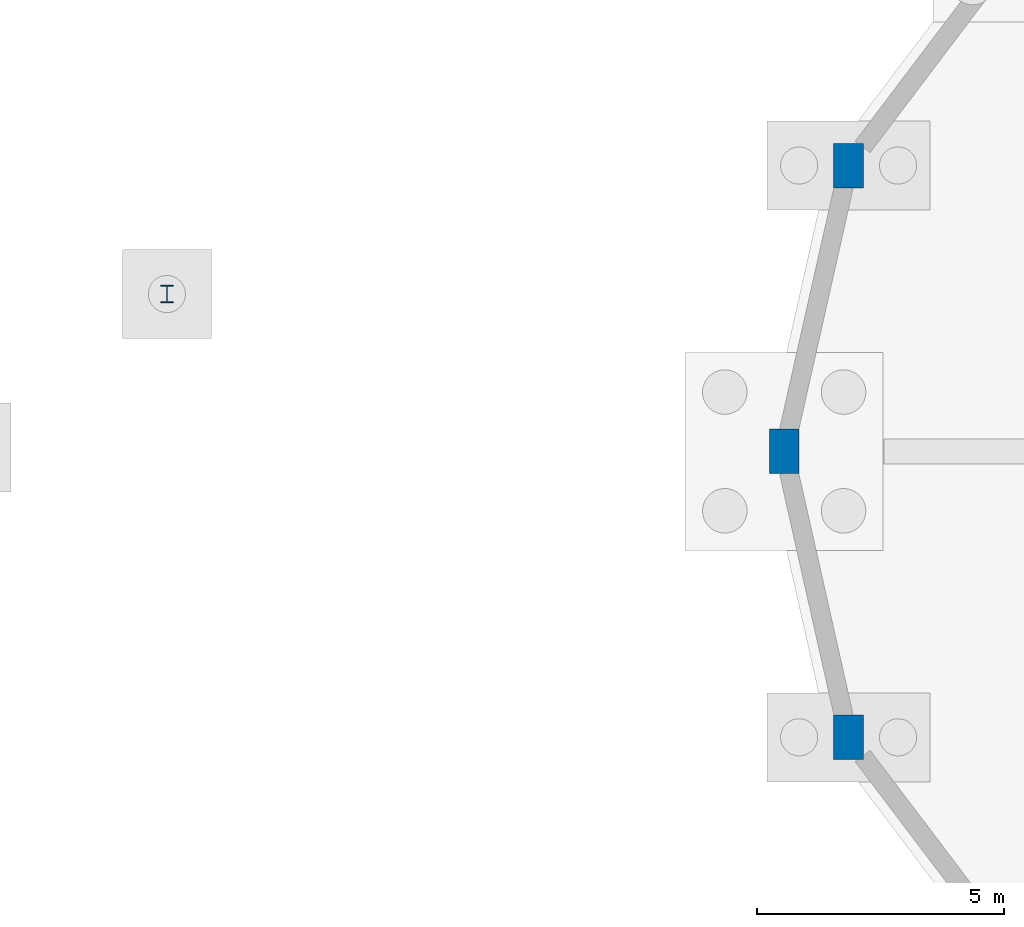
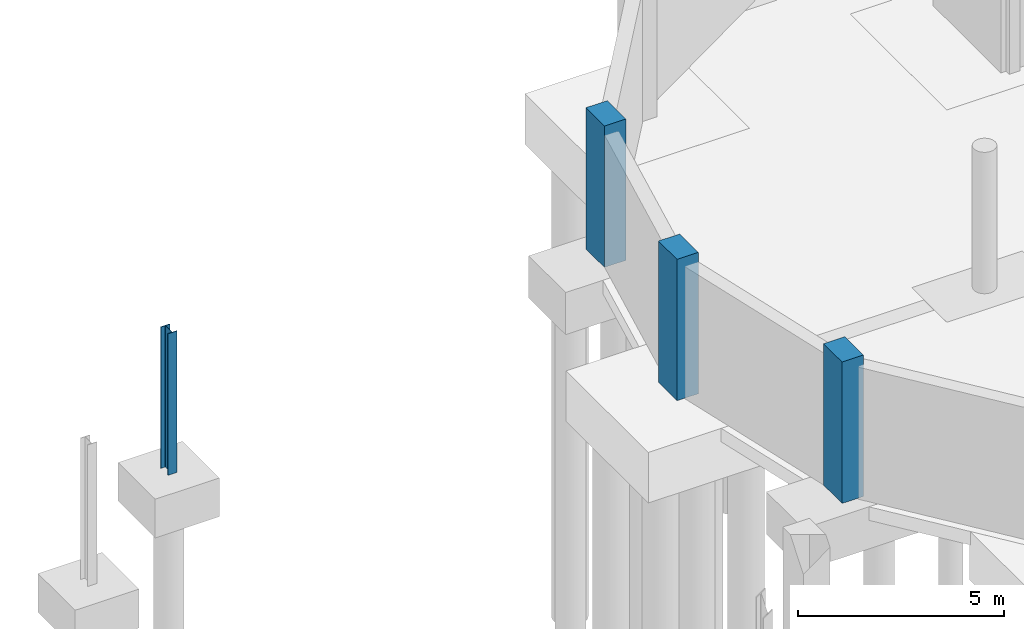
# One storey, part 19 of 43: 4 columns.
"""IFC4 building model written with IfcOpenShell, lengths in metres."""

from ifc_helpers import new_model, si_unit, direction, frame, origin, origin_2d, place, context, subcontext, project, spatial, rectangle, i_section, extrude, material, material_profile, profile_set, type_object, element, save


model = new_model("IFC4")

# Units and contexts
model_context = context("Model", 3, precision=1e-05, world=origin(), true_north=direction((0.0, 1.0)))
body_context = subcontext(model_context, "Body", "Model", "MODEL_VIEW")
ifc_project = project(units=[si_unit("LENGTHUNIT", "METRE"), si_unit("AREAUNIT", "SQUARE_METRE"), si_unit("VOLUMEUNIT", "CUBIC_METRE"), si_unit("PLANEANGLEUNIT", "RADIAN"), si_unit("MASSUNIT", "GRAM", prefix="KILO")], contexts=[model_context])

# Site, building, storey
site_placement = place(None, origin())
site = spatial("IfcSite", under=ifc_project, at=site_placement, CompositionType="ELEMENT")
building_placement = place(site_placement, origin())
building = spatial("IfcBuilding", under=site, at=building_placement, Name="Vespera Passage Community Centre", CompositionType="ELEMENT")
storey_placement = place(building_placement, frame((0.0, 0.0, -4.199951171875)))
storey = spatial("IfcBuildingStorey", under=building, at=storey_placement, Name="B1", CompositionType="ELEMENT", Elevation=-4.199951171875)

# Columns
ifc_material_1 = material(Name="Concrete f'c 45 MPa", Category="concrete")
ifc_material_profile_1 = material_profile(ifc_material_1, rectangle(XDim=0.60009765625, YDim=0.89990234375, at=origin_2d()), Name="RC900X600")
ifc_profile_set_1 = profile_set([ifc_material_profile_1], Name="Concrete f'c 45 MPa")
column_type_1 = type_object("IfcColumnType", Name="COL-RC900X600E", PredefinedType="COLUMN", material=ifc_profile_set_1)
for number, where, z_axis, x_axis, name in (
    (1, (127.20166015625, 95.278564453125, 0.0), (0.0, 0.0, 1.0), (1.0, 0.0, 0.0), "B1 Column V2-P08"),
    (2, (125.89990234375, 89.5, 0.0), (0.0, 0.0, 1.0), (1.0, 0.0, 0.0), "B1 Column V2-P09"),
    (3, (127.20166015625, 83.721435546875, 0.0), (0.0, 0.0, 1.0), (1.0, 0.0, 0.0), "B1 Column V2-P10"),
):
    element("IfcColumn", number, at=place(storey_placement, frame(where, z_axis=z_axis, x_axis=x_axis)), inside=storey, type_object=column_type_1, Name=name, PredefinedType="COLUMN", context=body_context, shape_type="SweptSolid", body=[
        extrude(rectangle(XDim=0.60009765625, YDim=0.89990234375, at=origin_2d()), origin(), (0.0, 0.0, 1.0), 4.199951171875),
    ])
ifc_material_2 = material(Name="Steel ASTM A992 Grade 50", Category="steel")
ifc_material_profile_2 = material_profile(ifc_material_2, i_section(OverallWidth=0.2548828125, OverallDepth=0.356689453125, WebThickness=0.010498046875, FlangeThickness=0.018310546875, FilletRadius=0.01513671875, at=origin_2d()), Name="W14X68")
ifc_profile_set_2 = profile_set([ifc_material_profile_2], Name="Steel ASTM A992 Grade 50")
column_type_2 = type_object("IfcColumnType", Name="COL-W14X68I", PredefinedType="COLUMN", material=ifc_profile_set_2)
column_placement = place(storey_placement, frame((113.423095703125, 92.68115234375, 0.0), z_axis=(0.0, 0.0, 1.0), x_axis=(1.0, 0.0, 0.0)))
element("IfcColumn", 4, at=column_placement, inside=storey, type_object=column_type_2, Name="B1 Column TRANC-O025", PredefinedType="COLUMN", context=body_context, shape_type="SweptSolid", body=[
    extrude(i_section(OverallWidth=0.2548828125, OverallDepth=0.356689453125, WebThickness=0.010498046875, FlangeThickness=0.018310546875, FilletRadius=0.01513671875, at=origin_2d()), origin(), (0.0, 0.0, 1.0), 4.199951171875),
])

save(model, "model.ifc")
